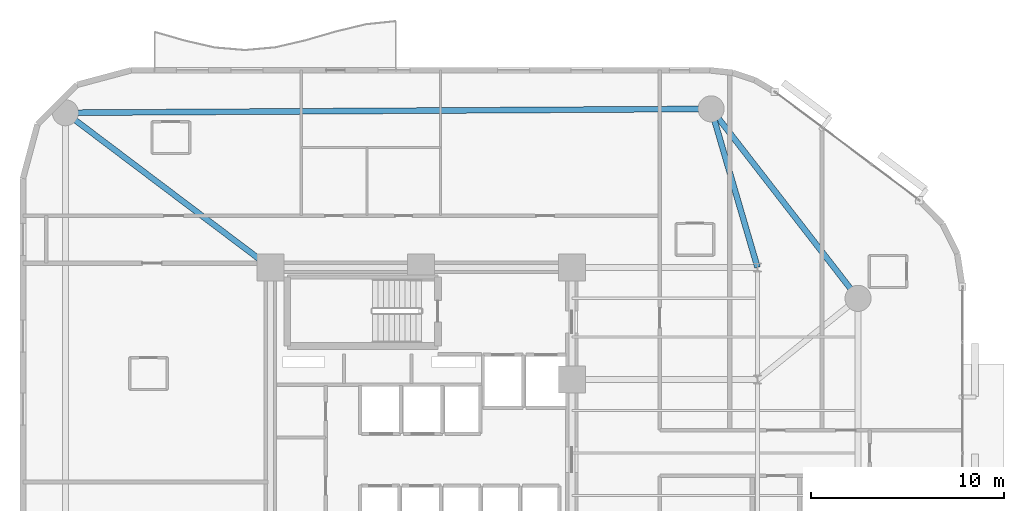
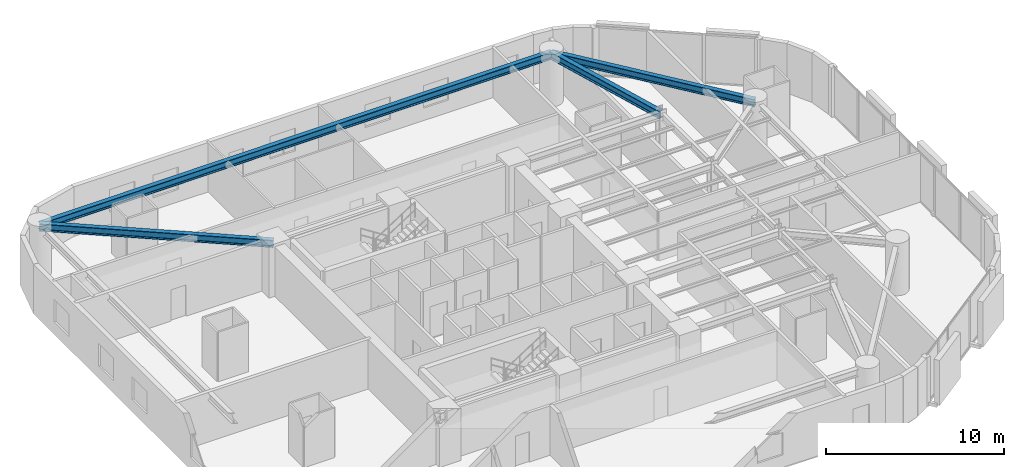
# One storey, part 7 of 16: 4 beams.
"""IFC4 building model written with IfcOpenShell, lengths in metres."""

from ifc_helpers import new_model, si_unit, direction, frame, origin, origin_2d, place, context, subcontext, project, spatial, i_section, extrude, material, material_profile, profile_set, type_object, element, save


model = new_model("IFC4")

# Units and contexts
model_context = context("Model", 3, precision=1e-05, world=origin(), true_north=direction((0.0, 1.0)))
body_context = subcontext(model_context, "Body", "Model", "MODEL_VIEW")
ifc_project = project(units=[si_unit("LENGTHUNIT", "METRE"), si_unit("AREAUNIT", "SQUARE_METRE"), si_unit("VOLUMEUNIT", "CUBIC_METRE"), si_unit("PLANEANGLEUNIT", "RADIAN"), si_unit("MASSUNIT", "GRAM", prefix="KILO")], contexts=[model_context])

# Site, building, storey
site_placement = place(None, origin())
site = spatial("IfcSite", under=ifc_project, at=site_placement, CompositionType="ELEMENT")
building_placement = place(site_placement, origin())
building = spatial("IfcBuilding", under=site, at=building_placement, Name="An Khanh Terracotta Commons", CompositionType="ELEMENT")
storey_placement = place(building_placement, frame((0.0, 0.0, 97.10009765625)))
storey = spatial("IfcBuildingStorey", under=building, at=storey_placement, Name="L25", CompositionType="ELEMENT", Elevation=97.10009765625)

# Beams
ifc_material = material(Name="Steel S355J2", Category="steel")
ifc_material_profile = material_profile(ifc_material, i_section(OverallWidth=0.300048828125, OverallDepth=0.5, WebThickness=0.014404296875, FlangeThickness=0.028076171875, FilletRadius=0.027099609375, at=origin_2d()), Name="HEB500")
ifc_profile_set = profile_set([ifc_material_profile], Name="Steel S355J2")
beam_type = type_object("IfcBeamType", Name="BM-HEB500", PredefinedType="BEAM", material=ifc_profile_set)
beam_1_placement = place(storey_placement, frame((52.0, 32.0, 3.14990234375), z_axis=(-0.612826529795, 0.790217466511, 0.0), x_axis=(-0.790217466511, -0.612826529795, 0.0)))
element("IfcBeam", 1, at=beam_1_placement, inside=storey, type_object=beam_type, Name="L25 Perimeter Ring Spandrel 4", PredefinedType="BEAM", context=body_context, shape_type="SweptSolid", body=[
    extrude(i_section(OverallWidth=0.300048828125, OverallDepth=0.5, WebThickness=0.014404296875, FlangeThickness=0.028076171875, FilletRadius=0.027099609375, at=origin_2d()), origin(), (0.0, 0.0, 1.0), 12.401611328125),
])
beam_2_placement = place(storey_placement, frame((44.39990234375, 41.800048828125, 3.14990234375), z_axis=(-0.999982080914, -0.005986472262, 0.0), x_axis=(0.005986472262, -0.999982080914, 0.0)))
element("IfcBeam", 2, at=beam_2_placement, inside=storey, type_object=beam_type, Name="L25 Perimeter Ring Spandrel 5", PredefinedType="BEAM", context=body_context, shape_type="SweptSolid", body=[
    extrude(i_section(OverallWidth=0.300048828125, OverallDepth=0.5, WebThickness=0.014404296875, FlangeThickness=0.028076171875, FilletRadius=0.027099609375, at=origin_2d()), origin(), (0.0, 0.0, 1.0), 33.400390625),
])
beam_3_placement = place(storey_placement, frame((44.39990234375, 41.800048828125, 3.14990234375), z_axis=(0.280916085823, -0.959732333896, 0.0), x_axis=(0.959732333896, 0.280916085823, 0.0)))
element("IfcBeam", 3, at=beam_3_placement, inside=storey, type_object=beam_type, Name="L25 Mega-Column Tie Girder 5", PredefinedType="BEAM", context=body_context, shape_type="SweptSolid", body=[
    extrude(i_section(OverallWidth=0.300048828125, OverallDepth=0.5, WebThickness=0.014404296875, FlangeThickness=0.028076171875, FilletRadius=0.027099609375, at=origin_2d()), origin(), (0.0, 0.0, 1.0), 8.5439453125),
])
beam_4_placement = place(storey_placement, frame((11.0, 41.60009765625, 3.14990234375), z_axis=(0.798191818888, -0.602403370061, 0.0), x_axis=(0.602403370061, 0.798191818888, 0.0)))
element("IfcBeam", 4, at=beam_4_placement, inside=storey, type_object=beam_type, Name="L25 Mega-Column Tie Girder 6", PredefinedType="BEAM", context=body_context, shape_type="SweptSolid", body=[
    extrude(i_section(OverallWidth=0.300048828125, OverallDepth=0.5, WebThickness=0.014404296875, FlangeThickness=0.028076171875, FilletRadius=0.027099609375, at=origin_2d()), origin(), (0.0, 0.0, 1.0), 13.280029296875),
])

save(model, "model.ifc")
